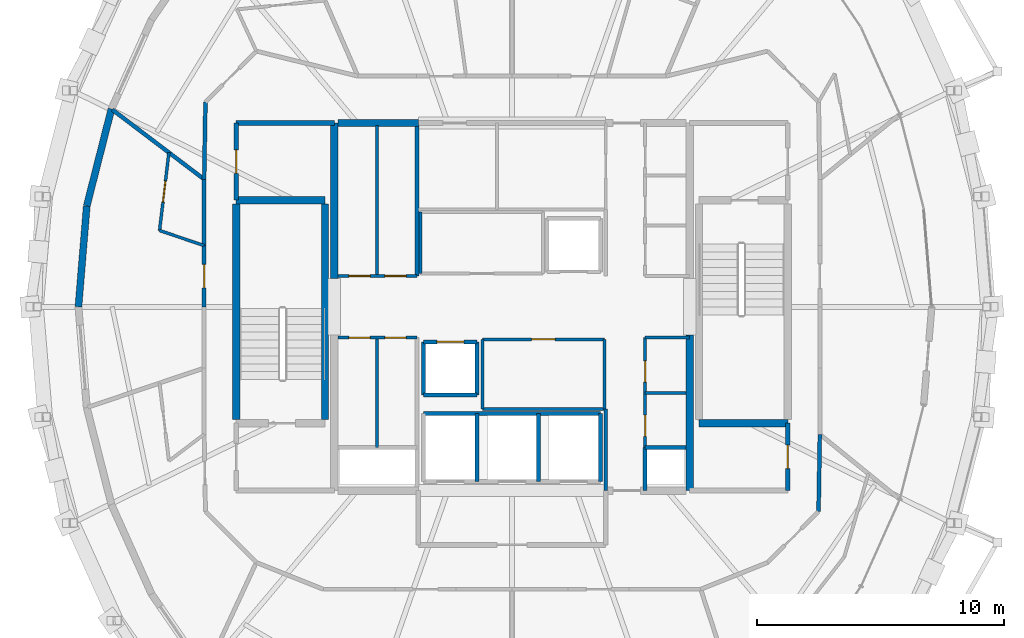
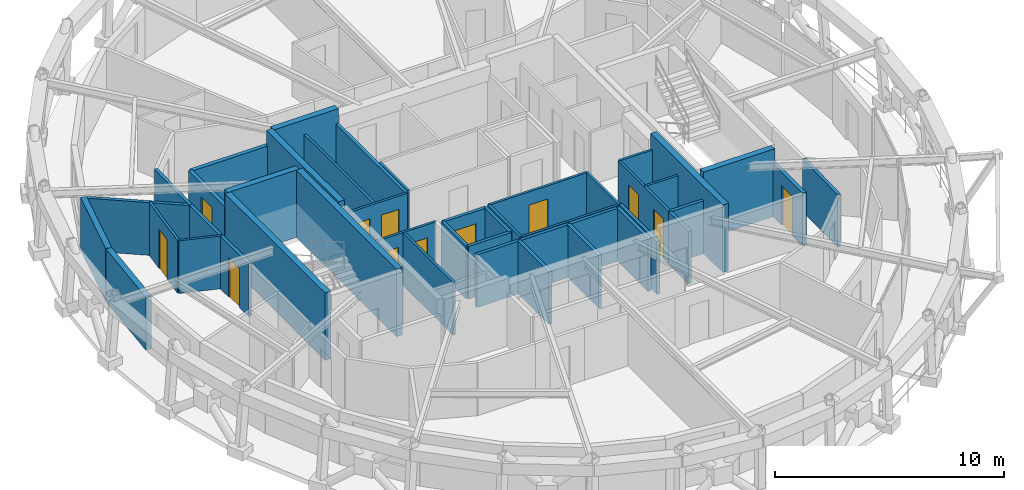
# One storey, part 11 of 14: 43 walls, 12 doors, 12 openings.
"""IFC4 building model written with IfcOpenShell, lengths in metres."""

from ifc_helpers import new_model, si_unit, direction, frame, frame_2d, origin, place, context, subcontext, project, spatial, rectangle, extrude, material, layer, layer_set, type_object, element, fill, save


model = new_model("IFC4")

# Units and contexts
model_context = context("Model", 3, precision=1e-05, world=origin(), true_north=direction((0.0, 1.0)))
body_context = subcontext(model_context, "Body", "Model", "MODEL_VIEW")
ifc_project = project(units=[si_unit("LENGTHUNIT", "METRE"), si_unit("AREAUNIT", "SQUARE_METRE"), si_unit("VOLUMEUNIT", "CUBIC_METRE"), si_unit("PLANEANGLEUNIT", "RADIAN"), si_unit("MASSUNIT", "GRAM", prefix="KILO")], contexts=[model_context])

# Site, building, storey
site_placement = place(None, origin())
site = spatial("IfcSite", under=ifc_project, at=site_placement, CompositionType="ELEMENT")
building_placement = place(site_placement, origin())
building = spatial("IfcBuilding", under=site, at=building_placement, Name="Veldorina Hangang Commons", CompositionType="ELEMENT")
storey_placement = place(building_placement, frame((0.0, 0.0, 294.0)))
storey = spatial("IfcBuildingStorey", under=building, at=storey_placement, Name="L77", CompositionType="ELEMENT", Elevation=294.0)

# Walls
ifc_material_1 = material(Name="Concrete C50/60", Category="concrete")
ifc_layer_1 = layer(ifc_material_1, 0.300048828125)
ifc_layer_set_1 = layer_set([ifc_layer_1], Name="Concrete C50/60")
wall_type_1 = type_object("IfcWallType", Name="CW-RC300-C50", PredefinedType="SHEAR", material=ifc_layer_set_1)
for number, where, z_axis, x_axis, name in (
    (1, (24.800048828125, 25.14990234375, 0.0), (0.0, 0.0, 1.0), (0.0, 1.0, 0.0), "L77 W north core shear wall"),
    (2, (39.199951171875, 16.550048828125, 0.0), (0.0, 0.0, 1.0), (0.0, 1.0, 0.0), "L77 E south core shear wall"),
):
    element("IfcWall", number, at=place(storey_placement, frame(where, z_axis=z_axis, x_axis=x_axis)), inside=storey, type_object=wall_type_1, Name=name, PredefinedType="SHEAR", context=body_context, shape_type="SweptSolid", body=[
        extrude(rectangle(XDim=6.300048828125, YDim=0.300048828125, at=frame_2d((3.14990234375, 0.0))), origin(), (0.0, 0.0, 1.0), 3.60009765625),
    ])
wall_1_placement = place(storey_placement, frame((24.949951171875, 31.449951171875, 0.0), z_axis=(0.0, 0.0, 1.0), x_axis=(1.0, 0.0, 0.0)))
element("IfcWall", 3, at=wall_1_placement, inside=storey, type_object=wall_type_1, Name="L77 north-west core shear wall", PredefinedType="SHEAR", context=body_context, shape_type="SweptSolid", body=[
    extrude(rectangle(XDim=3.25, YDim=0.300048828125, at=frame_2d((1.625, 0.0))), origin(), (0.0, 0.0, 1.0), 3.60009765625),
])
ifc_material_2 = material(Name="Stone Roman Travertine", Category="masonry")
ifc_layer_2 = layer(ifc_material_2, 0.280029296875)
ifc_layer_set_2 = layer_set([ifc_layer_2], Name="Stone Roman Travertine")
wall_type_2 = type_object("IfcWallType", Name="EW-TRAV-280", PredefinedType="STANDARD", material=ifc_layer_set_2)
wall_2_placement = place(storey_placement, frame((15.761962890625, 32.01806640625, 0.0), z_axis=(0.0, 0.0, 1.0), x_axis=(-0.246626857917, -0.969110516378, 0.0)))
element("IfcWall", 4, at=wall_2_placement, inside=storey, type_object=wall_type_2, Name="L77 travertine facade wall 14", PredefinedType="STANDARD", context=body_context, shape_type="SweptSolid", body=[
    extrude(rectangle(XDim=4.0556640625, YDim=0.280029296875, at=frame_2d((2.02783203125, 0.0))), origin(), (0.0, 0.0, 1.0), 2.820068359375),
])
wall_3_placement = place(storey_placement, frame((14.76171875, 28.087646484375, 0.0), z_axis=(0.0, 0.0, 1.0), x_axis=(-0.082321320945, -0.996605839898, 0.0)))
element("IfcWall", 5, at=wall_3_placement, inside=storey, type_object=wall_type_2, Name="L77 travertine facade wall 15", PredefinedType="STANDARD", context=body_context, shape_type="SweptSolid", body=[
    extrude(rectangle(XDim=4.1015625, YDim=0.280029296875, at=frame_2d((2.05078125, 0.0))), origin(), (0.0, 0.0, 1.0), 2.820068359375),
])
ifc_layer_3 = layer(ifc_material_1, 0.300048828125)
ifc_layer_set_3 = layer_set([ifc_layer_3], Name="Concrete C50/60")
wall_type_3 = type_object("IfcWallType", Name="SW-STAIR-300", PredefinedType="SHEAR", material=ifc_layer_set_3)
for number, where, z_axis, x_axis, name in (
    (6, (20.820068359375, 19.429931640625, 0.0), (0.0, 0.0, 1.0), (0.0, 1.0, 0.0), "L77 ST1 outer stair shear wall"),
    (7, (24.419921875, 19.429931640625, 0.0), (0.0, 0.0, 1.0), (0.0, 1.0, 0.0), "L77 ST1 inner stair shear wall"),
):
    element("IfcWall", number, at=place(storey_placement, frame(where, z_axis=z_axis, x_axis=x_axis)), inside=storey, type_object=wall_type_3, Name=name, PredefinedType="SHEAR", context=body_context, shape_type="SweptSolid", body=[
        extrude(rectangle(XDim=8.739990234375, YDim=0.300048828125, at=frame_2d((4.3701171875, 0.0))), origin(), (0.0, 0.0, 1.0), 3.60009765625),
    ])
for number, where, z_axis, x_axis, name in (
    (8, (20.820068359375, 28.320068359375, 0.0), (0.0, 0.0, 1.0), (1.0, 0.0, 0.0), "L77 ST1 north stair shear wall"),
    (9, (39.580078125, 19.280029296875, 0.0), (0.0, 0.0, 1.0), (1.0, 0.0, 0.0), "L77 ST2 south stair shear wall"),
):
    element("IfcWall", number, at=place(storey_placement, frame(where, z_axis=z_axis, x_axis=x_axis)), inside=storey, type_object=wall_type_3, Name=name, PredefinedType="SHEAR", context=body_context, shape_type="SweptSolid", body=[
        extrude(rectangle(XDim=3.599853515625, YDim=0.300048828125, at=frame_2d((1.7998046875, 0.0))), origin(), (0.0, 0.0, 1.0), 3.60009765625),
    ])
ifc_material_3 = material(Name="Gypsum Fire-Rated Twin Stud Wall", Category="gypsum")
ifc_layer_4 = layer(ifc_material_3, 0.159912109375)
ifc_layer_set_4 = layer_set([ifc_layer_4], Name="Gypsum Fire-Rated Twin Stud Wall")
wall_type_4 = type_object("IfcWallType", Name="WL-FIRE-160", PredefinedType="SOLIDWALL", material=ifc_layer_set_4)
wall_4_placement = place(storey_placement, frame((35.800048828125, 16.550048828125, 0.0), z_axis=(0.0, 0.0, 1.0), x_axis=(0.0, 1.0, 0.0)))
element("IfcWall", 10, at=wall_4_placement, inside=storey, type_object=wall_type_4, Name="L77 Lift passage SW wall 009", PredefinedType="SOLIDWALL", context=body_context, shape_type="SweptSolid", body=[
    extrude(rectangle(XDim=3.300048828125, YDim=0.159912109375, at=frame_2d((1.64990234375, 0.0))), origin(), (0.0, 0.0, 1.0), 2.81005859375),
])
wall_5_placement = place(storey_placement, frame((37.39990234375, 16.550048828125, 0.0), z_axis=(0.0, 0.0, 1.0), x_axis=(0.0, 1.0, 0.0)))
element("IfcWall", 11, at=wall_5_placement, inside=storey, type_object=wall_type_4, Name="L77 Lift passage SE stub 010", PredefinedType="SOLIDWALL", context=body_context, shape_type="SweptSolid", body=[
    extrude(rectangle(XDim=1.75, YDim=0.159912109375, at=frame_2d((0.875, 0.0))), origin(), (0.0, 0.0, 1.0), 2.81005859375),
])

# Wall, opening, door
wall_6_placement = place(storey_placement, frame((28.419921875, 22.580078125, 0.0), z_axis=(0.0, 0.0, 1.0), x_axis=(1.0, 0.0, 0.0)))
wall_6 = element("IfcWall", 12, at=wall_6_placement, inside=storey, type_object=wall_type_4, Name="L77 Shuttle-high front shaft wall 019", PredefinedType="SOLIDWALL", context=body_context, shape_type="SweptSolid", body=[
    extrude(rectangle(XDim=2.16015625, YDim=0.159912109375, at=frame_2d((1.080078125, 0.0))), origin(), (0.0, 0.0, 1.0), 2.81005859375),
])
opening_1_placement = place(wall_6_placement, frame((0.530029296875, 0.0, 0.0)))
opening_1 = element("IfcOpeningElement", 13, at=opening_1_placement, cuts=wall_6, Name="Opening LD-01", PredefinedType="OPENING", context=body_context, shape_type="SweptSolid", body=[
    extrude(rectangle(XDim=1.10009765625, YDim=2.14990234375, at=frame_2d((0.550048828125, 1.074951171875))), frame((0.0, 0.08984375, 0.0), z_axis=(0.0, -1.0, 0.0), x_axis=(1.0, 0.0, 0.0)), (0.0, 0.0, 1.0), 0.179931640625),
])
ifc_material_4 = material(Name="Stainless Steel Brushed Lift Door", Category="steel")
door_type_1 = type_object("IfcDoorType", Name="DR-LIFT-1100", OperationType="SLIDING_TO_LEFT", PredefinedType="DOOR", material=ifc_material_4)
door_1_placement = place(opening_1_placement, origin())
door_1 = element("IfcDoor", 14, at=door_1_placement, inside=storey, type_object=door_type_1, Name="L77 Lift PL-H2 landing door 007", OperationType="SLIDING_TO_LEFT", OverallHeight=2.14990234375, OverallWidth=1.10009765625, PredefinedType="DOOR", context=body_context, shape_type="SweptSolid", body=[
    extrude(rectangle(XDim=1.10009765625, YDim=2.14990234375, at=frame_2d((0.550048828125, 1.074951171875))), frame((0.0, 0.02490234375, 0.0), z_axis=(0.0, -1.0, 0.0), x_axis=(1.0, 0.0, 0.0)), (0.0, 0.0, 1.0), 0.050048828125),
])
fill(opening_1, door_1)

# Walls
for number, where, z_axis, x_axis, name in (
    (15, (28.419921875, 20.419921875, 0.0), (0.0, 0.0, 1.0), (1.0, 0.0, 0.0), "L77 Shuttle-high rear shaft wall 020"),
    (16, (28.419921875, 20.419921875, 0.0), (0.0, 0.0, 1.0), (0.0, 1.0, 0.0), "L77 PL-H2 west shaft wall 021"),
    (17, (30.580078125, 20.419921875, 0.0), (0.0, 0.0, 1.0), (0.0, 1.0, 0.0), "L77 PL-H2 east shaft wall 022"),
):
    element("IfcWall", number, at=place(storey_placement, frame(where, z_axis=z_axis, x_axis=x_axis)), inside=storey, type_object=wall_type_4, Name=name, PredefinedType="SOLIDWALL", context=body_context, shape_type="SweptSolid", body=[
        extrude(rectangle(XDim=2.16015625, YDim=0.159912109375, at=frame_2d((1.080078125, 0.0))), origin(), (0.0, 0.0, 1.0), 2.81005859375),
    ])
wall_7_placement = place(storey_placement, frame((28.419921875, 19.679931640625, 0.0), z_axis=(0.0, 0.0, 1.0), x_axis=(1.0, 0.0, 0.0)))
element("IfcWall", 18, at=wall_7_placement, inside=storey, type_object=wall_type_4, Name="L77 Emergency rear shaft wall 024", PredefinedType="SOLIDWALL", context=body_context, shape_type="SweptSolid", body=[
    extrude(rectangle(XDim=7.16015625, YDim=0.159912109375, at=frame_2d((3.580078125, 0.0))), origin(), (0.0, 0.0, 1.0), 2.81005859375),
])
for number, where, z_axis, x_axis, name in (
    (19, (30.580078125, 16.919921875, 0.0), (0.0, 0.0, 1.0), (0.0, 1.0, 0.0), "L77 FFL-1 east shaft wall 026"),
    (20, (33.080078125, 16.919921875, 0.0), (0.0, 0.0, 1.0), (0.0, 1.0, 0.0), "L77 FFL-2 east shaft wall 027"),
    (21, (35.580078125, 16.919921875, 0.0), (0.0, 0.0, 1.0), (0.0, 1.0, 0.0), "L77 EVL-1 east shaft wall 028"),
):
    element("IfcWall", number, at=place(storey_placement, frame(where, z_axis=z_axis, x_axis=x_axis)), inside=storey, type_object=wall_type_4, Name=name, PredefinedType="SOLIDWALL", context=body_context, shape_type="SweptSolid", body=[
        extrude(rectangle(XDim=2.760009765625, YDim=0.159912109375, at=frame_2d((1.3798828125, 0.0))), origin(), (0.0, 0.0, 1.0), 2.81005859375),
    ])
wall_8_placement = place(storey_placement, frame((37.39990234375, 18.300048828125, 0.0), z_axis=(0.0, 0.0, 1.0), x_axis=(1.0, 0.0, 0.0)))
element("IfcWall", 22, at=wall_8_placement, inside=storey, type_object=wall_type_4, Name="L77 Plumbing riser wall 043", PredefinedType="SOLIDWALL", context=body_context, shape_type="SweptSolid", body=[
    extrude(rectangle(XDim=1.650146484375, YDim=0.159912109375, at=frame_2d((0.8251953125, 0.0))), origin(), (0.0, 0.0, 1.0), 2.81005859375),
])
wall_9_placement = place(storey_placement, frame((28.14990234375, 25.25, 0.0), z_axis=(0.0, 0.0, 1.0), x_axis=(0.0, 1.0, 0.0)))
element("IfcWall", 23, at=wall_9_placement, inside=storey, type_object=wall_type_4, Name="L77 NW core inner wall 044", PredefinedType="SOLIDWALL", context=body_context, shape_type="SweptSolid", body=[
    extrude(rectangle(XDim=6.10009765625, YDim=0.159912109375, at=frame_2d((3.050048828125, 0.0))), origin(), (0.0, 0.0, 1.0), 2.81005859375),
])
wall_10_placement = place(storey_placement, frame((19.5732421875, 32.30322265625, 0.0), z_axis=(0.0, 0.0, 1.0), x_axis=(-0.016981035134, -0.999855811828, 0.0)))
element("IfcWall", 24, at=wall_10_placement, inside=storey, type_object=wall_type_4, Name="L77 Compact collar outer wall 13 069", PredefinedType="SOLIDWALL", context=body_context, shape_type="SweptSolid", body=[
    extrude(rectangle(XDim=3.13427734375, YDim=0.159912109375, at=frame_2d((1.567138671875, 0.0))), origin(), (0.0, 0.0, 1.0), 2.81005859375),
])
wall_11_placement = place(storey_placement, frame((19.52001953125, 29.16943359375, 0.0), z_axis=(0.0, 0.0, 1.0), x_axis=(0.0, -1.0, 0.0)))
element("IfcWall", 25, at=wall_11_placement, inside=storey, type_object=wall_type_4, Name="L77 Compact collar outer wall 14 070", PredefinedType="SOLIDWALL", context=body_context, shape_type="SweptSolid", body=[
    extrude(rectangle(XDim=2.68701171875, YDim=0.159912109375, at=frame_2d((1.343505859375, 0.0))), origin(), (0.0, 0.0, 1.0), 2.81005859375),
])

# Wall, opening, door
wall_12_placement = place(storey_placement, frame((19.52001953125, 26.482421875, 0.0), z_axis=(0.0, 0.0, 1.0), x_axis=(0.0, -1.0, 0.0)))
wall_12 = element("IfcWall", 26, at=wall_12_placement, inside=storey, type_object=wall_type_4, Name="L77 Compact collar outer wall 15 071", PredefinedType="SOLIDWALL", context=body_context, shape_type="SweptSolid", body=[
    extrude(rectangle(XDim=2.482421875, YDim=0.159912109375, at=frame_2d((1.2412109375, 0.0))), origin(), (0.0, 0.0, 1.0), 2.81005859375),
])
opening_2_placement = place(wall_12_placement, frame((0.76611328125, 0.0, 0.0)))
opening_2 = element("IfcOpeningElement", 27, at=opening_2_placement, cuts=wall_12, Name="Opening D-03", PredefinedType="OPENING", context=body_context, shape_type="SweptSolid", body=[
    extrude(rectangle(XDim=0.949951171875, YDim=2.10009765625, at=frame_2d((0.47509765625, 1.050048828125))), frame((0.0, 0.08984375, 0.0), z_axis=(0.0, -1.0, 0.0), x_axis=(1.0, 0.0, 0.0)), (0.0, 0.0, 1.0), 0.179931640625),
])
ifc_material_5 = material(Name="Timber Fire-Rated Entrance Core", Category="wood")
door_type_2 = type_object("IfcDoorType", Name="DR-UNIT-950", OperationType="SINGLE_SWING_RIGHT", PredefinedType="DOOR", material=ifc_material_5)
door_2_placement = place(opening_2_placement, origin())
door_2 = element("IfcDoor", 28, at=door_2_placement, inside=storey, type_object=door_type_2, Name="L77 Studio 6 entrance door 034", OperationType="SINGLE_SWING_RIGHT", OverallHeight=2.10009765625, OverallWidth=0.949951171875, PredefinedType="DOOR", context=body_context, shape_type="SweptSolid", body=[
    extrude(rectangle(XDim=0.949951171875, YDim=2.10009765625, at=frame_2d((0.47509765625, 1.050048828125))), frame((0.0, 0.02490234375, 0.0), z_axis=(0.0, -1.0, 0.0), x_axis=(1.0, 0.0, 0.0)), (0.0, 0.0, 1.0), 0.050048828125),
])
fill(opening_2, door_2)

# Walls
wall_13_placement = place(storey_placement, frame((44.4267578125, 15.69677734375, 0.0), z_axis=(0.0, 0.0, 1.0), x_axis=(0.016981035134, 0.999855811828, 0.0)))
element("IfcWall", 29, at=wall_13_placement, inside=storey, type_object=wall_type_4, Name="L77 Compact collar outer wall 29 085", PredefinedType="SOLIDWALL", context=body_context, shape_type="SweptSolid", body=[
    extrude(rectangle(XDim=3.13427734375, YDim=0.159912109375, at=frame_2d((1.567138671875, 0.0))), origin(), (0.0, 0.0, 1.0), 2.81005859375),
])
wall_14_placement = place(storey_placement, frame((19.52001953125, 29.16943359375, 0.0), z_axis=(0.0, 0.0, 1.0), x_axis=(-0.796937950296, 0.604061175195, 0.0)))
element("IfcWall", 30, at=wall_14_placement, inside=storey, type_object=wall_type_4, Name="L77 Unit party wall 14 101", PredefinedType="SOLIDWALL", context=body_context, shape_type="SweptSolid", body=[
    extrude(rectangle(XDim=4.665771484375, YDim=0.159912109375, at=frame_2d((2.3330078125, 0.0))), origin(), (0.0, 0.0, 1.0), 2.81005859375),
])

# Wall, opening, door
ifc_material_6 = material(Name="Concrete Blockwork Fire Wall C30/37", Category="masonry")
ifc_layer_5 = layer(ifc_material_6, 0.199951171875)
ifc_layer_set_5 = layer_set([ifc_layer_5], Name="Concrete Blockwork Fire Wall C30/37")
wall_type_5 = type_object("IfcWallType", Name="WL-FIRE-200", PredefinedType="SOLIDWALL", material=ifc_layer_set_5)
wall_15_placement = place(storey_placement, frame((20.820068359375, 28.320068359375, 0.0), z_axis=(0.0, 0.0, 1.0), x_axis=(0.0, 1.0, 0.0)))
wall_15 = element("IfcWall", 31, at=wall_15_placement, inside=storey, type_object=wall_type_5, Name="L77 NW core room outer wall 005", PredefinedType="SOLIDWALL", context=body_context, shape_type="SweptSolid", body=[
    extrude(rectangle(XDim=3.1298828125, YDim=0.199951171875, at=frame_2d((1.56494140625, 0.0))), origin(), (0.0, 0.0, 1.0), 2.81005859375),
])
opening_3_placement = place(wall_15_placement, frame((1.090087890625, 0.0, 0.0)))
opening_3 = element("IfcOpeningElement", 32, at=opening_3_placement, cuts=wall_15, Name="Opening D-04", PredefinedType="OPENING", context=body_context, shape_type="SweptSolid", body=[
    extrude(rectangle(XDim=0.949951171875, YDim=2.10009765625, at=frame_2d((0.47509765625, 1.050048828125))), frame((0.0, 0.10986328125, 0.0), z_axis=(0.0, -1.0, 0.0), x_axis=(1.0, 0.0, 0.0)), (0.0, 0.0, 1.0), 0.219970703125),
])
ifc_material_7 = material(Name="Timber Accessible Flush Leaf", Category="wood")
door_type_3 = type_object("IfcDoorType", Name="DR-ACC-950", OperationType="SINGLE_SWING_LEFT", PredefinedType="DOOR", material=ifc_material_7)
door_3_placement = place(opening_3_placement, origin())
door_3 = element("IfcDoor", 33, at=door_3_placement, inside=storey, type_object=door_type_3, Name="L77 NW core WC door 003", OperationType="SINGLE_SWING_LEFT", OverallHeight=2.10009765625, OverallWidth=0.949951171875, PredefinedType="DOOR", context=body_context, shape_type="SweptSolid", body=[
    extrude(rectangle(XDim=0.949951171875, YDim=2.10009765625, at=frame_2d((0.47509765625, 1.050048828125))), frame((0.0, 0.02490234375, 0.0), z_axis=(0.0, -1.0, 0.0), x_axis=(1.0, 0.0, 0.0)), (0.0, 0.0, 1.0), 0.050048828125),
])
fill(opening_3, door_3)

# Wall
wall_16_placement = place(storey_placement, frame((20.820068359375, 31.449951171875, 0.0), z_axis=(0.0, 0.0, 1.0), x_axis=(1.0, 0.0, 0.0)))
element("IfcWall", 34, at=wall_16_placement, inside=storey, type_object=wall_type_5, Name="L77 NW core room north wall 006", PredefinedType="SOLIDWALL", context=body_context, shape_type="SweptSolid", body=[
    extrude(rectangle(XDim=3.97998046875, YDim=0.199951171875, at=frame_2d((1.989990234375, 0.0))), origin(), (0.0, 0.0, 1.0), 2.81005859375),
])

# Wall, opening, door
wall_17_placement = place(storey_placement, frame((43.179931640625, 16.550048828125, 0.0), z_axis=(0.0, 0.0, 1.0), x_axis=(0.0, 1.0, 0.0)))
wall_17 = element("IfcWall", 35, at=wall_17_placement, inside=storey, type_object=wall_type_5, Name="L77 SE core room outer wall 007", PredefinedType="SOLIDWALL", context=body_context, shape_type="SweptSolid", body=[
    extrude(rectangle(XDim=2.72998046875, YDim=0.199951171875, at=frame_2d((1.364990234375, 0.0))), origin(), (0.0, 0.0, 1.0), 2.81005859375),
])
opening_4_placement = place(wall_17_placement, frame((0.889892578125, 0.0, 0.0)))
opening_4 = element("IfcOpeningElement", 36, at=opening_4_placement, cuts=wall_17, Name="Opening D-02", PredefinedType="OPENING", context=body_context, shape_type="SweptSolid", body=[
    extrude(rectangle(XDim=0.949951171875, YDim=2.10009765625, at=frame_2d((0.47509765625, 1.050048828125))), frame((0.0, 0.10986328125, 0.0), z_axis=(0.0, -1.0, 0.0), x_axis=(1.0, 0.0, 0.0)), (0.0, 0.0, 1.0), 0.219970703125),
])
ifc_material_8 = material(Name="Timber Solid Core Acoustic", Category="wood")
door_type_4 = type_object("IfcDoorType", Name="DR-INT-950", OperationType="SINGLE_SWING_LEFT", PredefinedType="DOOR", material=ifc_material_8)
door_4_placement = place(opening_4_placement, origin())
door_4 = element("IfcDoor", 37, at=door_4_placement, inside=storey, type_object=door_type_4, Name="L77 SE core WC door 004", OperationType="SINGLE_SWING_RIGHT", OverallHeight=2.10009765625, OverallWidth=0.949951171875, PredefinedType="DOOR", context=body_context, shape_type="SweptSolid", body=[
    extrude(rectangle(XDim=0.949951171875, YDim=2.10009765625, at=frame_2d((0.47509765625, 1.050048828125))), frame((0.0, 0.02490234375, 0.0), z_axis=(0.0, -1.0, 0.0), x_axis=(1.0, 0.0, 0.0)), (0.0, 0.0, 1.0), 0.050048828125),
])
fill(opening_4, door_4)

# Wall
ifc_material_9 = material(Name="Gypsum Acoustic Stud Partition", Category="gypsum")
ifc_layer_6 = layer(ifc_material_9, 0.1201171875)
ifc_layer_set_6 = layer_set([ifc_layer_6], Name="Gypsum Acoustic Stud Partition")
wall_type_6 = type_object("IfcWallType", Name="WL-PART-120", PredefinedType="PARTITIONING", material=ifc_layer_set_6)
wall_18_placement = place(storey_placement, frame((28.300048828125, 25.35009765625, 0.0), z_axis=(0.0, 0.0, 1.0), x_axis=(0.0, 1.0, 0.0)))
element("IfcWall", 38, at=wall_18_placement, inside=storey, type_object=wall_type_6, Name="L77 Merged mid-bank west wall 035", PredefinedType="PARTITIONING", context=body_context, shape_type="SweptSolid", body=[
    extrude(rectangle(XDim=2.5, YDim=0.1201171875, at=frame_2d((1.25, 0.0))), origin(), (0.0, 0.0, 1.0), 2.81005859375),
])

# Wall, opening, door
wall_19_placement = place(storey_placement, frame((30.800048828125, 22.679931640625, 0.0), z_axis=(0.0, 0.0, 1.0), x_axis=(1.0, 0.0, 0.0)))
wall_19 = element("IfcWall", 39, at=wall_19_placement, inside=storey, type_object=wall_type_6, Name="L77 Merged shuttle north wall 037", PredefinedType="PARTITIONING", context=body_context, shape_type="SweptSolid", body=[
    extrude(rectangle(XDim=4.949951171875, YDim=0.1201171875, at=frame_2d((2.47509765625, 0.0))), origin(), (0.0, 0.0, 1.0), 2.81005859375),
])
opening_5_placement = place(wall_19_placement, frame((2.0, 0.0, 0.0)))
opening_5 = element("IfcOpeningElement", 40, at=opening_5_placement, cuts=wall_19, Name="Opening D-02", PredefinedType="OPENING", context=body_context, shape_type="SweptSolid", body=[
    extrude(rectangle(XDim=0.949951171875, YDim=2.10009765625, at=frame_2d((0.47509765625, 1.050048828125))), frame((0.0, 0.070068359375, 0.0), z_axis=(0.0, -1.0, 0.0), x_axis=(1.0, 0.0, 0.0)), (0.0, 0.0, 1.0), 0.14013671875),
])
door_5_placement = place(opening_5_placement, origin())
door_5 = element("IfcDoor", 41, at=door_5_placement, inside=storey, type_object=door_type_4, Name="L77 Floor tea pantry door 014", OperationType="SINGLE_SWING_RIGHT", OverallHeight=2.10009765625, OverallWidth=0.949951171875, PredefinedType="DOOR", context=body_context, shape_type="SweptSolid", body=[
    extrude(rectangle(XDim=0.949951171875, YDim=2.10009765625, at=frame_2d((0.47509765625, 1.050048828125))), frame((0.0, 0.02490234375, 0.0), z_axis=(0.0, -1.0, 0.0), x_axis=(1.0, 0.0, 0.0)), (0.0, 0.0, 1.0), 0.050048828125),
])
fill(opening_5, door_5)

# Walls
wall_20_placement = place(storey_placement, frame((30.800048828125, 19.85009765625, 0.0), z_axis=(0.0, 0.0, 1.0), x_axis=(1.0, 0.0, 0.0)))
element("IfcWall", 42, at=wall_20_placement, inside=storey, type_object=wall_type_6, Name="L77 Merged shuttle south wall 038", PredefinedType="PARTITIONING", context=body_context, shape_type="SweptSolid", body=[
    extrude(rectangle(XDim=4.949951171875, YDim=0.1201171875, at=frame_2d((2.47509765625, 0.0))), origin(), (0.0, 0.0, 1.0), 2.81005859375),
])
for number, where, z_axis, x_axis, name in (
    (43, (30.800048828125, 19.85009765625, 0.0), (0.0, 0.0, 1.0), (0.0, 1.0, 0.0), "L77 Merged shuttle west wall 039"),
    (44, (35.75, 19.85009765625, 0.0), (0.0, 0.0, 1.0), (0.0, 1.0, 0.0), "L77 Merged shuttle east wall 040"),
):
    element("IfcWall", number, at=place(storey_placement, frame(where, z_axis=z_axis, x_axis=x_axis)), inside=storey, type_object=wall_type_6, Name=name, PredefinedType="PARTITIONING", context=body_context, shape_type="SweptSolid", body=[
        extrude(rectangle(XDim=2.829833984375, YDim=0.1201171875, at=frame_2d((1.4150390625, 0.0))), origin(), (0.0, 0.0, 1.0), 2.81005859375),
    ])

# Wall, openings, doors
wall_21_placement = place(storey_placement, frame((24.949951171875, 25.25, 0.0), z_axis=(0.0, 0.0, 1.0), x_axis=(1.0, 0.0, 0.0)))
wall_21 = element("IfcWall", 45, at=wall_21_placement, inside=storey, type_object=wall_type_6, Name="L77 NW service south wall 045", PredefinedType="PARTITIONING", context=body_context, shape_type="SweptSolid", body=[
    extrude(rectangle(XDim=3.199951171875, YDim=0.1201171875, at=frame_2d((1.60009765625, 0.0))), origin(), (0.0, 0.0, 1.0), 2.81005859375),
])
opening_6_placement = place(wall_21_placement, frame((0.43994140625, 0.0, 0.0)))
opening_6 = element("IfcOpeningElement", 46, at=opening_6_placement, cuts=wall_21, Name="Opening D-01", PredefinedType="OPENING", context=body_context, shape_type="SweptSolid", body=[
    extrude(rectangle(XDim=0.860107421875, YDim=2.10009765625, at=frame_2d((0.43017578125, 1.050048828125))), frame((0.0, 0.070068359375, 0.0), z_axis=(0.0, -1.0, 0.0), x_axis=(1.0, 0.0, 0.0)), (0.0, 0.0, 1.0), 0.14013671875),
])
opening_7_placement = place(wall_21_placement, frame((1.89990234375, 0.0, 0.0)))
opening_7 = element("IfcOpeningElement", 47, at=opening_7_placement, cuts=wall_21, Name="Opening D-01", PredefinedType="OPENING", context=body_context, shape_type="SweptSolid", body=[
    extrude(rectangle(XDim=0.860107421875, YDim=2.10009765625, at=frame_2d((0.43017578125, 1.050048828125))), frame((0.0, 0.070068359375, 0.0), z_axis=(0.0, -1.0, 0.0), x_axis=(1.0, 0.0, 0.0)), (0.0, 0.0, 1.0), 0.14013671875),
])
ifc_material_10 = material(Name="Timber Moisture-Resistant Core", Category="wood")
door_type_5 = type_object("IfcDoorType", Name="DR-WET-860", OperationType="SINGLE_SWING_LEFT", PredefinedType="DOOR", material=ifc_material_10)
door_6_placement = place(opening_6_placement, origin())
door_6 = element("IfcDoor", 48, at=door_6_placement, inside=storey, type_object=door_type_5, Name="L77 Linen west door 015", OperationType="SINGLE_SWING_LEFT", OverallHeight=2.10009765625, OverallWidth=0.860107421875, PredefinedType="DOOR", context=body_context, shape_type="SweptSolid", body=[
    extrude(rectangle(XDim=0.860107421875, YDim=2.10009765625, at=frame_2d((0.43017578125, 1.050048828125))), frame((0.0, 0.02490234375, 0.0), z_axis=(0.0, -1.0, 0.0), x_axis=(1.0, 0.0, 0.0)), (0.0, 0.0, 1.0), 0.050048828125),
])
fill(opening_6, door_6)
door_7_placement = place(opening_7_placement, origin())
door_7 = element("IfcDoor", 49, at=door_7_placement, inside=storey, type_object=door_type_5, Name="L77 Data closet door 016", OperationType="SINGLE_SWING_RIGHT", OverallHeight=2.10009765625, OverallWidth=0.860107421875, PredefinedType="DOOR", context=body_context, shape_type="SweptSolid", body=[
    extrude(rectangle(XDim=0.860107421875, YDim=2.10009765625, at=frame_2d((0.43017578125, 1.050048828125))), frame((0.0, 0.02490234375, 0.0), z_axis=(0.0, -1.0, 0.0), x_axis=(1.0, 0.0, 0.0)), (0.0, 0.0, 1.0), 0.050048828125),
])
fill(opening_7, door_7)

wall_22_placement = place(storey_placement, frame((24.949951171875, 22.75, 0.0), z_axis=(0.0, 0.0, 1.0), x_axis=(1.0, 0.0, 0.0)))
wall_22 = element("IfcWall", 50, at=wall_22_placement, inside=storey, type_object=wall_type_6, Name="L77 SW service north wall 046", PredefinedType="PARTITIONING", context=body_context, shape_type="SweptSolid", body=[
    extrude(rectangle(XDim=3.199951171875, YDim=0.1201171875, at=frame_2d((1.60009765625, 0.0))), origin(), (0.0, 0.0, 1.0), 2.81005859375),
])
opening_8_placement = place(wall_22_placement, frame((0.43994140625, 0.0, 0.0)))
opening_8 = element("IfcOpeningElement", 51, at=opening_8_placement, cuts=wall_22, Name="Opening D-01", PredefinedType="OPENING", context=body_context, shape_type="SweptSolid", body=[
    extrude(rectangle(XDim=0.860107421875, YDim=2.10009765625, at=frame_2d((0.43017578125, 1.050048828125))), frame((0.0, 0.070068359375, 0.0), z_axis=(0.0, -1.0, 0.0), x_axis=(1.0, 0.0, 0.0)), (0.0, 0.0, 1.0), 0.14013671875),
])
opening_9_placement = place(wall_22_placement, frame((1.89990234375, 0.0, 0.0)))
opening_9 = element("IfcOpeningElement", 52, at=opening_9_placement, cuts=wall_22, Name="Opening D-01", PredefinedType="OPENING", context=body_context, shape_type="SweptSolid", body=[
    extrude(rectangle(XDim=0.860107421875, YDim=2.10009765625, at=frame_2d((0.43017578125, 1.050048828125))), frame((0.0, 0.070068359375, 0.0), z_axis=(0.0, -1.0, 0.0), x_axis=(1.0, 0.0, 0.0)), (0.0, 0.0, 1.0), 0.14013671875),
])
door_8_placement = place(opening_8_placement, origin())
door_8 = element("IfcDoor", 53, at=door_8_placement, inside=storey, type_object=door_type_5, Name="L77 Cleaners door 017", OperationType="SINGLE_SWING_LEFT", OverallHeight=2.10009765625, OverallWidth=0.860107421875, PredefinedType="DOOR", context=body_context, shape_type="SweptSolid", body=[
    extrude(rectangle(XDim=0.860107421875, YDim=2.10009765625, at=frame_2d((0.43017578125, 1.050048828125))), frame((0.0, 0.02490234375, 0.0), z_axis=(0.0, -1.0, 0.0), x_axis=(1.0, 0.0, 0.0)), (0.0, 0.0, 1.0), 0.050048828125),
])
fill(opening_8, door_8)
door_9_placement = place(opening_9_placement, origin())
door_9 = element("IfcDoor", 54, at=door_9_placement, inside=storey, type_object=door_type_5, Name="L77 Metering door 018", OperationType="SINGLE_SWING_RIGHT", OverallHeight=2.10009765625, OverallWidth=0.860107421875, PredefinedType="DOOR", context=body_context, shape_type="SweptSolid", body=[
    extrude(rectangle(XDim=0.860107421875, YDim=2.10009765625, at=frame_2d((0.43017578125, 1.050048828125))), frame((0.0, 0.02490234375, 0.0), z_axis=(0.0, -1.0, 0.0), x_axis=(1.0, 0.0, 0.0)), (0.0, 0.0, 1.0), 0.050048828125),
])
fill(opening_9, door_9)

wall_23_placement = place(storey_placement, frame((37.39990234375, 18.300048828125, 0.0), z_axis=(0.0, 0.0, 1.0), x_axis=(0.0, 1.0, 0.0)))
wall_23 = element("IfcWall", 55, at=wall_23_placement, inside=storey, type_object=wall_type_6, Name="L77 SE strip lobby wall 049", PredefinedType="PARTITIONING", context=body_context, shape_type="SweptSolid", body=[
    extrude(rectangle(XDim=4.449951171875, YDim=0.1201171875, at=frame_2d((2.22509765625, 0.0))), origin(), (0.0, 0.0, 1.0), 2.81005859375),
])
opening_10_placement = place(wall_23_placement, frame((0.449951171875, 0.0, 0.0)))
opening_10 = element("IfcOpeningElement", 56, at=opening_10_placement, cuts=wall_23, Name="Opening D-01", PredefinedType="OPENING", context=body_context, shape_type="SweptSolid", body=[
    extrude(rectangle(XDim=0.860107421875, YDim=2.10009765625, at=frame_2d((0.43017578125, 1.050048828125))), frame((0.0, 0.070068359375, 0.0), z_axis=(0.0, -1.0, 0.0), x_axis=(1.0, 0.0, 0.0)), (0.0, 0.0, 1.0), 0.14013671875),
])
opening_11_placement = place(wall_23_placement, frame((2.64990234375, 0.0, 0.0)))
opening_11 = element("IfcOpeningElement", 57, at=opening_11_placement, cuts=wall_23, Name="Opening D-01", PredefinedType="OPENING", context=body_context, shape_type="SweptSolid", body=[
    extrude(rectangle(XDim=0.860107421875, YDim=2.10009765625, at=frame_2d((0.43017578125, 1.050048828125))), frame((0.0, 0.070068359375, 0.0), z_axis=(0.0, -1.0, 0.0), x_axis=(1.0, 0.0, 0.0)), (0.0, 0.0, 1.0), 0.14013671875),
])
door_10_placement = place(opening_10_placement, origin())
door_10 = element("IfcDoor", 58, at=door_10_placement, inside=storey, type_object=door_type_5, Name="L77 Janitor sink door 022", OperationType="SINGLE_SWING_RIGHT", OverallHeight=2.10009765625, OverallWidth=0.860107421875, PredefinedType="DOOR", context=body_context, shape_type="SweptSolid", body=[
    extrude(rectangle(XDim=0.860107421875, YDim=2.10009765625, at=frame_2d((0.43017578125, 1.050048828125))), frame((0.0, 0.02490234375, 0.0), z_axis=(0.0, -1.0, 0.0), x_axis=(1.0, 0.0, 0.0)), (0.0, 0.0, 1.0), 0.050048828125),
])
fill(opening_10, door_10)
door_11_placement = place(opening_11_placement, origin())
door_11 = element("IfcDoor", 59, at=door_11_placement, inside=storey, type_object=door_type_5, Name="L77 Fire panel door 023", OperationType="SINGLE_SWING_LEFT", OverallHeight=2.10009765625, OverallWidth=0.860107421875, PredefinedType="DOOR", context=body_context, shape_type="SweptSolid", body=[
    extrude(rectangle(XDim=0.860107421875, YDim=2.10009765625, at=frame_2d((0.43017578125, 1.050048828125))), frame((0.0, 0.02490234375, 0.0), z_axis=(0.0, -1.0, 0.0), x_axis=(1.0, 0.0, 0.0)), (0.0, 0.0, 1.0), 0.050048828125),
])
fill(opening_11, door_11)

# Walls
wall_24_placement = place(storey_placement, frame((37.39990234375, 22.75, 0.0), z_axis=(0.0, 0.0, 1.0), x_axis=(1.0, 0.0, 0.0)))
element("IfcWall", 60, at=wall_24_placement, inside=storey, type_object=wall_type_6, Name="L77 SE strip north return wall 050", PredefinedType="PARTITIONING", context=body_context, shape_type="SweptSolid", body=[
    extrude(rectangle(XDim=1.800048828125, YDim=0.1201171875, at=frame_2d((0.89990234375, 0.0))), origin(), (0.0, 0.0, 1.0), 2.81005859375),
])
wall_25_placement = place(storey_placement, frame((26.530029296875, 25.25, 0.0), z_axis=(0.0, 0.0, 1.0), x_axis=(0.0, 1.0, 0.0)))
element("IfcWall", 61, at=wall_25_placement, inside=storey, type_object=wall_type_6, Name="L77 NW vertical split 051", PredefinedType="PARTITIONING", context=body_context, shape_type="SweptSolid", body=[
    extrude(rectangle(XDim=6.10009765625, YDim=0.1201171875, at=frame_2d((3.050048828125, 0.0))), origin(), (0.0, 0.0, 1.0), 2.81005859375),
])
wall_26_placement = place(storey_placement, frame((26.530029296875, 18.300048828125, 0.0), z_axis=(0.0, 0.0, 1.0), x_axis=(0.0, 1.0, 0.0)))
element("IfcWall", 62, at=wall_26_placement, inside=storey, type_object=wall_type_6, Name="L77 SW vertical split 052", PredefinedType="PARTITIONING", context=body_context, shape_type="SweptSolid", body=[
    extrude(rectangle(XDim=4.449951171875, YDim=0.1201171875, at=frame_2d((2.22509765625, 0.0))), origin(), (0.0, 0.0, 1.0), 2.81005859375),
])
wall_27_placement = place(storey_placement, frame((37.39990234375, 20.5, 0.0), z_axis=(0.0, 0.0, 1.0), x_axis=(1.0, 0.0, 0.0)))
element("IfcWall", 63, at=wall_27_placement, inside=storey, type_object=wall_type_6, Name="L77 SE horizontal split 055", PredefinedType="PARTITIONING", context=body_context, shape_type="SweptSolid", body=[
    extrude(rectangle(XDim=1.650146484375, YDim=0.1201171875, at=frame_2d((0.8251953125, 0.0))), origin(), (0.0, 0.0, 1.0), 2.81005859375),
])

# Wall, opening, door
wall_28_placement = place(storey_placement, frame((18.091796875, 30.251953125, 0.0), z_axis=(0.0, 0.0, 1.0), x_axis=(-0.119369071505, -0.992849950782, 0.0)))
wall_28 = element("IfcWall", 64, at=wall_28_placement, inside=storey, type_object=wall_type_6, Name="L77 Studio 6 bath front wall 102", PredefinedType="PARTITIONING", context=body_context, shape_type="SweptSolid", body=[
    extrude(rectangle(XDim=3.182373046875, YDim=0.1201171875, at=frame_2d((1.59130859375, 0.0))), origin(), (0.0, 0.0, 1.0), 2.81005859375),
])
opening_12_placement = place(wall_28_placement, frame((1.1611328125, 0.0, 0.0)))
opening_12 = element("IfcOpeningElement", 65, at=opening_12_placement, cuts=wall_28, Name="Opening D-01", PredefinedType="OPENING", context=body_context, shape_type="SweptSolid", body=[
    extrude(rectangle(XDim=0.860107421875, YDim=2.10009765625, at=frame_2d((0.43017578125, 1.050048828125))), frame((0.0, 0.070068359375, 0.0), z_axis=(0.0, -1.0, 0.0), x_axis=(1.0, 0.0, 0.0)), (0.0, 0.0, 1.0), 0.14013671875),
])
door_12_placement = place(opening_12_placement, origin())
door_12 = element("IfcDoor", 66, at=door_12_placement, inside=storey, type_object=door_type_5, Name="L77 Studio 6 bathroom door 033", OperationType="SINGLE_SWING_LEFT", OverallHeight=2.10009765625, OverallWidth=0.860107421875, PredefinedType="DOOR", context=body_context, shape_type="SweptSolid", body=[
    extrude(rectangle(XDim=0.860107421875, YDim=2.10009765625, at=frame_2d((0.43017578125, 1.050048828125))), frame((0.0, 0.02490234375, 0.0), z_axis=(0.0, -1.0, 0.0), x_axis=(1.0, 0.0, 0.0)), (0.0, 0.0, 1.0), 0.050048828125),
])
fill(opening_12, door_12)

# Wall
wall_29_placement = place(storey_placement, frame((19.52001953125, 26.482421875, 0.0), z_axis=(0.0, 0.0, 1.0), x_axis=(-0.947551380021, 0.319603476545, 0.0)))
element("IfcWall", 67, at=wall_29_placement, inside=storey, type_object=wall_type_6, Name="L77 Studio 6 bath side wall 103", PredefinedType="PARTITIONING", context=body_context, shape_type="SweptSolid", body=[
    extrude(rectangle(XDim=1.908203125, YDim=0.1201171875, at=frame_2d((0.9541015625, 0.0))), origin(), (0.0, 0.0, 1.0), 2.81005859375),
])

save(model, "model.ifc")
